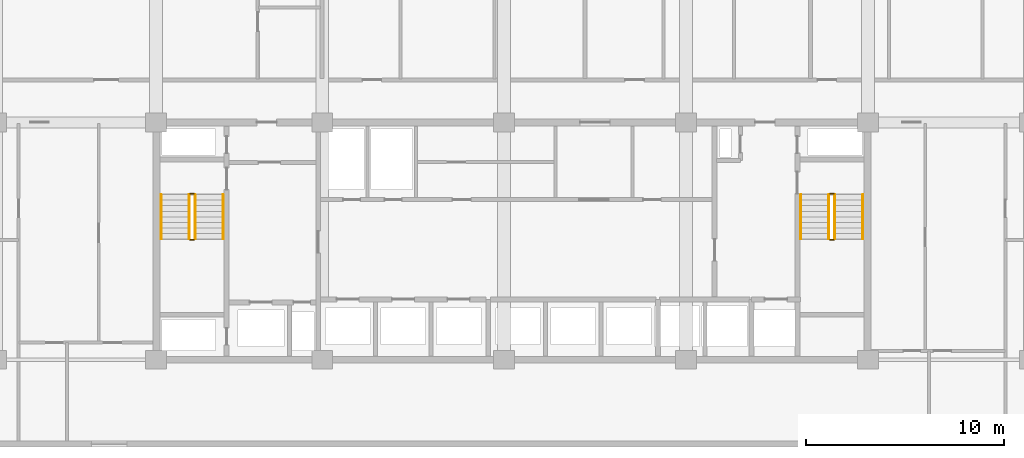
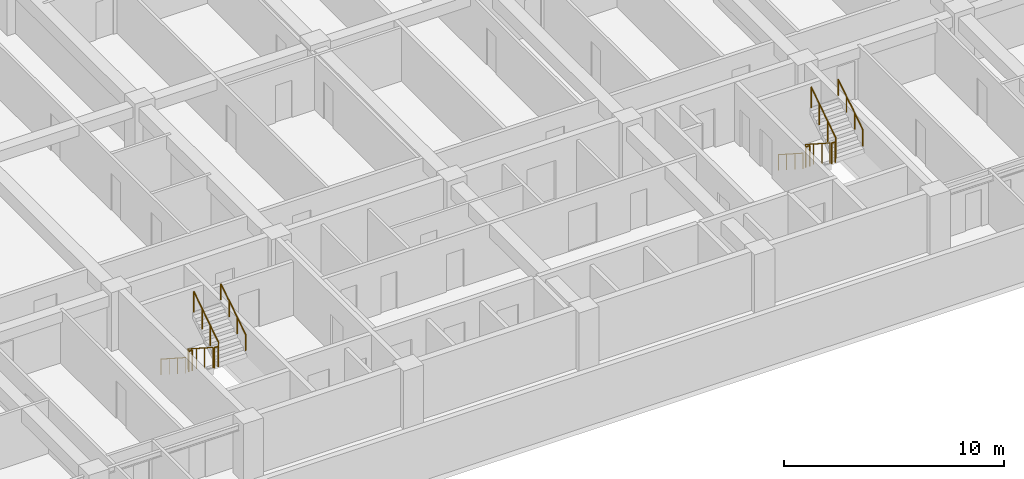
# One storey, part 22 of 23: 12 railings.
"""IFC4 building model written with IfcOpenShell, lengths in metres."""

from ifc_helpers import new_model, si_unit, direction, frame, origin, origin_2d, place, context, subcontext, project, spatial, circle, extrude, material, type_object, element, save


model = new_model("IFC4")

# Units and contexts
model_context = context("Model", 3, precision=1e-05, world=origin(), true_north=direction((0.0, 1.0)))
body_context = subcontext(model_context, "Body", "Model", "MODEL_VIEW")
ifc_project = project(units=[si_unit("LENGTHUNIT", "METRE"), si_unit("AREAUNIT", "SQUARE_METRE"), si_unit("VOLUMEUNIT", "CUBIC_METRE"), si_unit("PLANEANGLEUNIT", "RADIAN"), si_unit("MASSUNIT", "GRAM", prefix="KILO")], contexts=[model_context])

# Site, building, storey
site_placement = place(None, origin())
site = spatial("IfcSite", under=ifc_project, at=site_placement, CompositionType="ELEMENT")
building_placement = place(site_placement, origin())
building = spatial("IfcBuilding", under=site, at=building_placement, Name="Korimba Cascade Residences", CompositionType="ELEMENT")
storey_placement = place(building_placement, frame((0.0, 0.0, 33.75)))
storey = spatial("IfcBuildingStorey", under=building, at=storey_placement, Name="L08", CompositionType="ELEMENT", Elevation=33.75)

# Railings
ifc_material_1 = material(Name="Painted Steel Stairwell Guardrail", Category="steel")
railing_type_1 = type_object("IfcRailingType", Name="RLG-ST-GD1150", PredefinedType="GUARDRAIL", material=ifc_material_1)
railing_1_placement = place(storey_placement, frame((77.77001953125, 63.550048828125, 0.1806640625)))
element("IfcRailing", 1, at=railing_1_placement, inside=storey, type_object=railing_type_1, Name="L08 ST-W1 stair guard 1", PredefinedType="GUARDRAIL", context=body_context, shape_type="SweptSolid", body=[
    extrude(circle(Radius=0.02392578125, at=origin_2d()), frame((0.0, 0.0, 1.1259765625), z_axis=(0.0, -0.840436612492, 0.541909863706), x_axis=(1.0, 0.0, 0.0)), (0.0, 0.0, 1.0), 2.665283203125),
    extrude(circle(Radius=0.02099609375, at=origin_2d()), origin(), (0.0, 0.0, 1.0), 1.101806640625),
    extrude(circle(Radius=0.02099609375, at=origin_2d()), frame((0.0, -0.74658203125, 0.4814453125)), (0.0, 0.0, 1.0), 1.101806640625),
    extrude(circle(Radius=0.02099609375, at=origin_2d()), frame((0.0, -1.493408203125, 0.962890625)), (0.0, 0.0, 1.0), 1.101806640625),
    extrude(circle(Radius=0.02099609375, at=origin_2d()), frame((0.0, -2.239990234375, 1.4443359375)), (0.0, 0.0, 1.0), 1.101806640625),
])
railing_2_placement = place(storey_placement, frame((77.820068359375, 61.260009765625, 1.625)))
element("IfcRailing", 2, at=railing_2_placement, inside=storey, type_object=railing_type_1, Name="L08 ST-W1 stair guard 2", PredefinedType="GUARDRAIL", context=body_context, shape_type="SweptSolid", body=[
    extrude(circle(Radius=0.02392578125, at=origin_2d()), frame((0.0, 0.0, 1.1259765625), z_axis=(1.0, 0.0, 0.0), x_axis=(0.0, 1.0, 0.0)), (0.0, 0.0, 1.0), 0.199951171875),
    extrude(circle(Radius=0.02099609375, at=origin_2d()), origin(), (0.0, 0.0, 1.0), 1.101806640625),
    extrude(circle(Radius=0.02099609375, at=origin_2d()), frame((0.199951171875, 0.0, 0.0)), (0.0, 0.0, 1.0), 1.101806640625),
])
railing_3_placement = place(storey_placement, frame((78.070068359375, 61.31005859375, 1.8056640625)))
element("IfcRailing", 3, at=railing_3_placement, inside=storey, type_object=railing_type_1, Name="L08 ST-W1 stair guard 3", PredefinedType="GUARDRAIL", context=body_context, shape_type="SweptSolid", body=[
    extrude(circle(Radius=0.02392578125, at=origin_2d()), frame((0.0, 0.0, 1.1259765625), z_axis=(0.0, 0.840436612492, 0.541909863706), x_axis=(-1.0, 0.0, 0.0)), (0.0, 0.0, 1.0), 2.665283203125),
    extrude(circle(Radius=0.02099609375, at=origin_2d()), origin(), (0.0, 0.0, 1.0), 1.101806640625),
    extrude(circle(Radius=0.02099609375, at=origin_2d()), frame((0.0, 0.74658203125, 0.4814453125)), (0.0, 0.0, 1.0), 1.101806640625),
    extrude(circle(Radius=0.02099609375, at=origin_2d()), frame((0.0, 1.493408203125, 0.962890625)), (0.0, 0.0, 1.0), 1.101806640625),
    extrude(circle(Radius=0.02099609375, at=origin_2d()), frame((0.0, 2.239990234375, 1.4443359375)), (0.0, 0.0, 1.0), 1.101806640625),
])
railing_4_placement = place(storey_placement, frame((77.820068359375, 63.60009765625, 0.0)))
element("IfcRailing", 4, at=railing_4_placement, inside=storey, type_object=railing_type_1, Name="L08 ST-W1 stair guard 4", PredefinedType="GUARDRAIL", context=body_context, shape_type="SweptSolid", body=[
    extrude(circle(Radius=0.02392578125, at=origin_2d()), frame((0.0, 0.0, 1.1259765625), z_axis=(1.0, 0.0, 0.0), x_axis=(0.0, 1.0, 0.0)), (0.0, 0.0, 1.0), 0.199951171875),
    extrude(circle(Radius=0.02099609375, at=origin_2d()), origin(), (0.0, 0.0, 1.0), 1.101806640625),
    extrude(circle(Radius=0.02099609375, at=origin_2d()), frame((0.199951171875, 0.0, 0.0)), (0.0, 0.0, 1.0), 1.101806640625),
])
railing_5_placement = place(storey_placement, frame((110.1298828125, 63.550048828125, 0.1806640625)))
element("IfcRailing", 5, at=railing_5_placement, inside=storey, type_object=railing_type_1, Name="L08 ST-W2 stair guard 1", PredefinedType="GUARDRAIL", context=body_context, shape_type="SweptSolid", body=[
    extrude(circle(Radius=0.02392578125, at=origin_2d()), frame((0.0, 0.0, 1.1259765625), z_axis=(0.0, -0.840436612492, 0.541909863706), x_axis=(1.0, 0.0, 0.0)), (0.0, 0.0, 1.0), 2.665283203125),
    extrude(circle(Radius=0.02099609375, at=origin_2d()), origin(), (0.0, 0.0, 1.0), 1.101806640625),
    extrude(circle(Radius=0.02099609375, at=origin_2d()), frame((0.0, -0.74658203125, 0.4814453125)), (0.0, 0.0, 1.0), 1.101806640625),
    extrude(circle(Radius=0.02099609375, at=origin_2d()), frame((0.0, -1.493408203125, 0.962890625)), (0.0, 0.0, 1.0), 1.101806640625),
    extrude(circle(Radius=0.02099609375, at=origin_2d()), frame((0.0, -2.239990234375, 1.4443359375)), (0.0, 0.0, 1.0), 1.101806640625),
])
railing_6_placement = place(storey_placement, frame((110.179931640625, 61.260009765625, 1.625)))
element("IfcRailing", 6, at=railing_6_placement, inside=storey, type_object=railing_type_1, Name="L08 ST-W2 stair guard 2", PredefinedType="GUARDRAIL", context=body_context, shape_type="SweptSolid", body=[
    extrude(circle(Radius=0.02392578125, at=origin_2d()), frame((0.0, 0.0, 1.1259765625), z_axis=(1.0, 0.0, 0.0), x_axis=(0.0, 1.0, 0.0)), (0.0, 0.0, 1.0), 0.199951171875),
    extrude(circle(Radius=0.02099609375, at=origin_2d()), origin(), (0.0, 0.0, 1.0), 1.101806640625),
    extrude(circle(Radius=0.02099609375, at=origin_2d()), frame((0.199951171875, 0.0, 0.0)), (0.0, 0.0, 1.0), 1.101806640625),
])
railing_7_placement = place(storey_placement, frame((110.429931640625, 61.31005859375, 1.8056640625)))
element("IfcRailing", 7, at=railing_7_placement, inside=storey, type_object=railing_type_1, Name="L08 ST-W2 stair guard 3", PredefinedType="GUARDRAIL", context=body_context, shape_type="SweptSolid", body=[
    extrude(circle(Radius=0.02392578125, at=origin_2d()), frame((0.0, 0.0, 1.1259765625), z_axis=(0.0, 0.840436612492, 0.541909863706), x_axis=(-1.0, 0.0, 0.0)), (0.0, 0.0, 1.0), 2.665283203125),
    extrude(circle(Radius=0.02099609375, at=origin_2d()), origin(), (0.0, 0.0, 1.0), 1.101806640625),
    extrude(circle(Radius=0.02099609375, at=origin_2d()), frame((0.0, 0.74658203125, 0.4814453125)), (0.0, 0.0, 1.0), 1.101806640625),
    extrude(circle(Radius=0.02099609375, at=origin_2d()), frame((0.0, 1.493408203125, 0.962890625)), (0.0, 0.0, 1.0), 1.101806640625),
    extrude(circle(Radius=0.02099609375, at=origin_2d()), frame((0.0, 2.239990234375, 1.4443359375)), (0.0, 0.0, 1.0), 1.101806640625),
])
railing_8_placement = place(storey_placement, frame((110.179931640625, 63.60009765625, 0.0)))
element("IfcRailing", 8, at=railing_8_placement, inside=storey, type_object=railing_type_1, Name="L08 ST-W2 stair guard 4", PredefinedType="GUARDRAIL", context=body_context, shape_type="SweptSolid", body=[
    extrude(circle(Radius=0.02392578125, at=origin_2d()), frame((0.0, 0.0, 1.1259765625), z_axis=(1.0, 0.0, 0.0), x_axis=(0.0, 1.0, 0.0)), (0.0, 0.0, 1.0), 0.199951171875),
    extrude(circle(Radius=0.02099609375, at=origin_2d()), origin(), (0.0, 0.0, 1.0), 1.101806640625),
    extrude(circle(Radius=0.02099609375, at=origin_2d()), frame((0.199951171875, 0.0, 0.0)), (0.0, 0.0, 1.0), 1.101806640625),
])
ifc_material_2 = material(Name="Brushed Stainless Steel Handrail", Category="steel")
railing_type_2 = type_object("IfcRailingType", Name="RLG-ST-HR900", PredefinedType="HANDRAIL", material=ifc_material_2)
railing_9_placement = place(storey_placement, frame((76.35009765625, 63.550048828125, 0.364990234375)))
element("IfcRailing", 9, at=railing_9_placement, inside=storey, type_object=railing_type_2, Name="L08 ST-W1 stair handrail 1", PredefinedType="HANDRAIL", context=body_context, shape_type="SweptSolid", body=[
    extrude(circle(Radius=0.02392578125, at=origin_2d()), frame((0.0, 0.0, 0.8759765625), z_axis=(0.0, -0.840436612492, 0.541909863706), x_axis=(1.0, 0.0, 0.0)), (0.0, 0.0, 1.0), 2.665283203125),
    extrude(circle(Radius=0.02099609375, at=origin_2d()), origin(), (0.0, 0.0, 1.0), 0.851806640625),
    extrude(circle(Radius=0.02099609375, at=origin_2d()), frame((0.0, -0.74658203125, 0.4814453125)), (0.0, 0.0, 1.0), 0.851806640625),
    extrude(circle(Radius=0.02099609375, at=origin_2d()), frame((0.0, -1.493408203125, 0.962890625)), (0.0, 0.0, 1.0), 0.851806640625),
    extrude(circle(Radius=0.02099609375, at=origin_2d()), frame((0.0, -2.239990234375, 1.4443359375)), (0.0, 0.0, 1.0), 0.851806640625),
])
railing_10_placement = place(storey_placement, frame((79.489990234375, 61.31005859375, 1.989990234375)))
element("IfcRailing", 10, at=railing_10_placement, inside=storey, type_object=railing_type_2, Name="L08 ST-W1 stair handrail 2", PredefinedType="HANDRAIL", context=body_context, shape_type="SweptSolid", body=[
    extrude(circle(Radius=0.02392578125, at=origin_2d()), frame((0.0, 0.0, 0.8759765625), z_axis=(0.0, 0.840436612492, 0.541909863706), x_axis=(-1.0, 0.0, 0.0)), (0.0, 0.0, 1.0), 2.665283203125),
    extrude(circle(Radius=0.02099609375, at=origin_2d()), origin(), (0.0, 0.0, 1.0), 0.851806640625),
    extrude(circle(Radius=0.02099609375, at=origin_2d()), frame((0.0, 0.74658203125, 0.4814453125)), (0.0, 0.0, 1.0), 0.851806640625),
    extrude(circle(Radius=0.02099609375, at=origin_2d()), frame((0.0, 1.493408203125, 0.962890625)), (0.0, 0.0, 1.0), 0.851806640625),
    extrude(circle(Radius=0.02099609375, at=origin_2d()), frame((0.0, 2.239990234375, 1.4443359375)), (0.0, 0.0, 1.0), 0.851806640625),
])
railing_11_placement = place(storey_placement, frame((108.7099609375, 63.550048828125, 0.364990234375)))
element("IfcRailing", 11, at=railing_11_placement, inside=storey, type_object=railing_type_2, Name="L08 ST-W2 stair handrail 1", PredefinedType="HANDRAIL", context=body_context, shape_type="SweptSolid", body=[
    extrude(circle(Radius=0.02392578125, at=origin_2d()), frame((0.0, 0.0, 0.8759765625), z_axis=(0.0, -0.840436612492, 0.541909863706), x_axis=(1.0, 0.0, 0.0)), (0.0, 0.0, 1.0), 2.665283203125),
    extrude(circle(Radius=0.02099609375, at=origin_2d()), origin(), (0.0, 0.0, 1.0), 0.851806640625),
    extrude(circle(Radius=0.02099609375, at=origin_2d()), frame((0.0, -0.74658203125, 0.4814453125)), (0.0, 0.0, 1.0), 0.851806640625),
    extrude(circle(Radius=0.02099609375, at=origin_2d()), frame((0.0, -1.493408203125, 0.962890625)), (0.0, 0.0, 1.0), 0.851806640625),
    extrude(circle(Radius=0.02099609375, at=origin_2d()), frame((0.0, -2.239990234375, 1.4443359375)), (0.0, 0.0, 1.0), 0.851806640625),
])
railing_12_placement = place(storey_placement, frame((111.85009765625, 61.31005859375, 1.989990234375)))
element("IfcRailing", 12, at=railing_12_placement, inside=storey, type_object=railing_type_2, Name="L08 ST-W2 stair handrail 2", PredefinedType="HANDRAIL", context=body_context, shape_type="SweptSolid", body=[
    extrude(circle(Radius=0.02392578125, at=origin_2d()), frame((0.0, 0.0, 0.8759765625), z_axis=(0.0, 0.840436612492, 0.541909863706), x_axis=(-1.0, 0.0, 0.0)), (0.0, 0.0, 1.0), 2.665283203125),
    extrude(circle(Radius=0.02099609375, at=origin_2d()), origin(), (0.0, 0.0, 1.0), 0.851806640625),
    extrude(circle(Radius=0.02099609375, at=origin_2d()), frame((0.0, 0.74658203125, 0.4814453125)), (0.0, 0.0, 1.0), 0.851806640625),
    extrude(circle(Radius=0.02099609375, at=origin_2d()), frame((0.0, 1.493408203125, 0.962890625)), (0.0, 0.0, 1.0), 0.851806640625),
    extrude(circle(Radius=0.02099609375, at=origin_2d()), frame((0.0, 2.239990234375, 1.4443359375)), (0.0, 0.0, 1.0), 0.851806640625),
])

save(model, "model.ifc")
